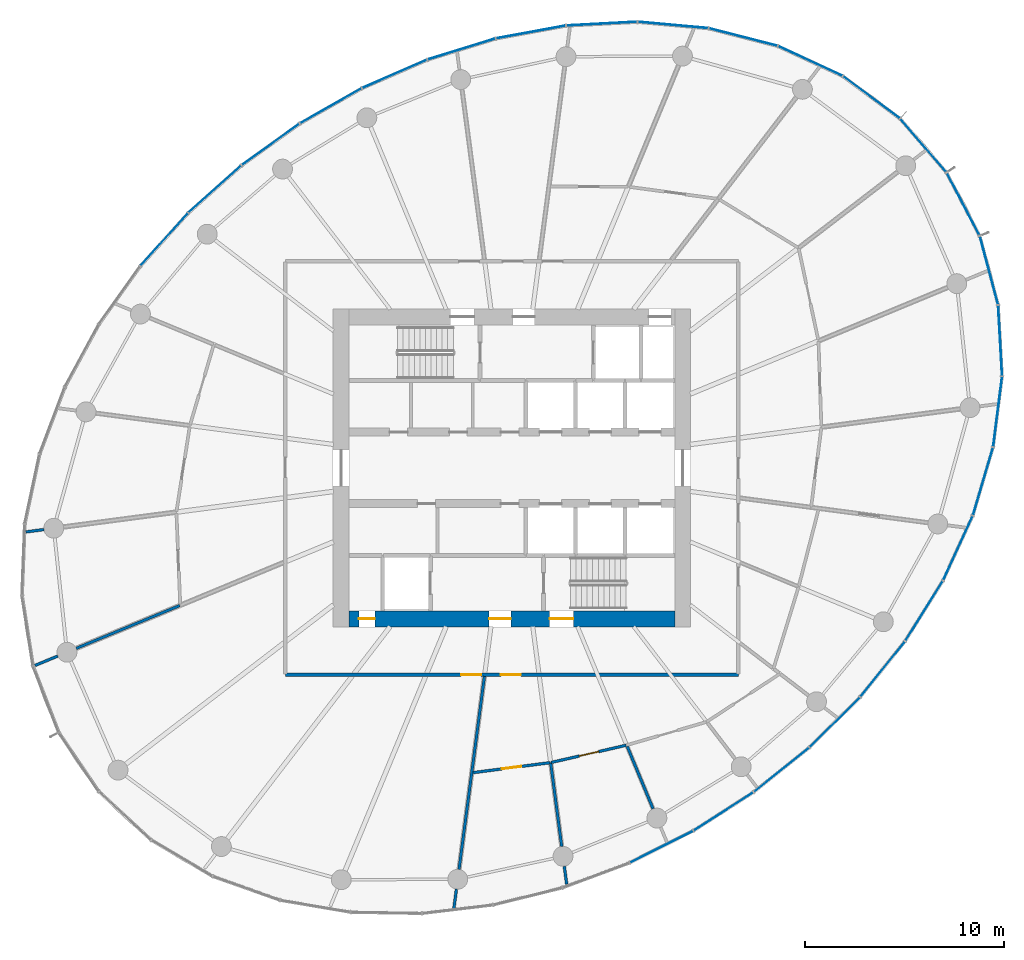
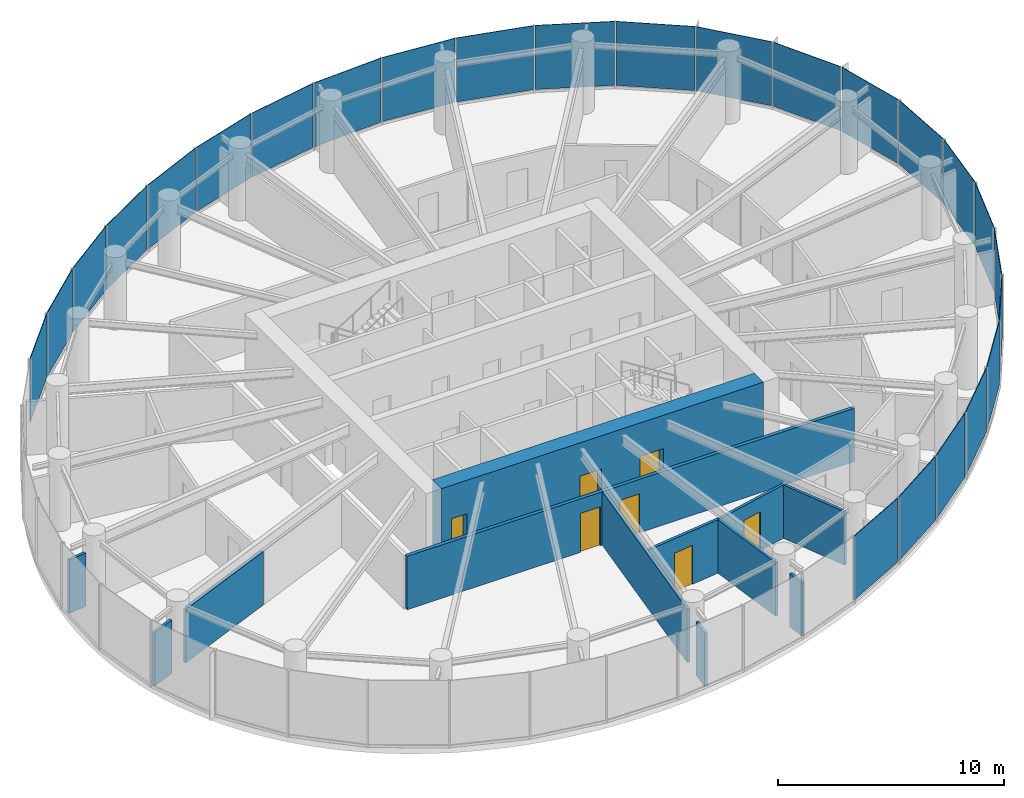
# One storey, part 8 of 14: 25 plates, 12 walls, 7 doors, 7 openings, 6 elements without a shape of their own.
"""IFC4 building model written with IfcOpenShell, lengths in metres."""

import ifcopenshell
import ifcopenshell.guid

model = None  # the IFC model being written
_history = None  # IfcOwnerHistory: only IFC2X3 demands one
_inside = {}  # id of a spatial element -> (the spatial element, [elements in it])
_under = {}  # id of a project, library or spatial element -> (it, [spatial elements below it])
_declared = {}  # id of a project -> (the project, [libraries it declares])
_typed = {}  # id of a type object -> (the type object, [elements of that type])
_made_of = {}  # id of a material, layer set ... -> (it, [elements and type objects made of it])


def new_model(schema):
    """Start an empty IFC model of exactly this schema.

    Asked for "IFC4X3", IfcOpenShell would pick the latest addendum, in which some entities
    have other attributes; the version numbers below select the first issue.
    IFC2X3 requires an IfcOwnerHistory on every rooted entity: one is made here for all.
    """
    global model, _history
    if schema == "IFC4X3":
        model = ifcopenshell.file(schema_version=(4, 3, 0, 0))
    else:
        model = ifcopenshell.file(schema=schema)
    _inside.clear()
    _under.clear()
    _declared.clear()
    _typed.clear()
    _made_of.clear()
    _history = None
    if model.schema == "IFC2X3":
        org = make("IfcOrganization", Name="unknown")
        user = make(
            "IfcPersonAndOrganization",
            ThePerson=make("IfcPerson", FamilyName="unknown"),
            TheOrganization=org,
        )
        app = make(
            "IfcApplication",
            ApplicationDeveloper=org,
            Version="unknown",
            ApplicationFullName="unknown",
            ApplicationIdentifier="unknown",
        )
        _history = make(
            "IfcOwnerHistory",
            OwningUser=user,
            OwningApplication=app,
            ChangeAction="ADDED",
            CreationDate=0,
        )
    return model


def make(cls, **values):
    """One entity of the class cls with the attributes given. An attribute that is None is left unset."""
    return model.create_entity(
        cls, **{name: value for name, value in values.items() if value is not None}
    )


def rooted(cls, **values):
    """An entity with a GlobalId (a new one), such as an element, a storey or a relation."""
    return make(cls, GlobalId=ifcopenshell.guid.new(), OwnerHistory=_history, **values)


def si_unit(unit_type, name, prefix=None):
    """IfcSIUnit, for example si_unit("LENGTHUNIT", "METRE", prefix="MILLI")."""
    return make("IfcSIUnit", UnitType=unit_type, Prefix=prefix, Name=name)


def assignment(units):
    """IfcUnitAssignment: the units of a project."""
    return None if units is None else make("IfcUnitAssignment", Units=units)


def point(xyz):
    """IfcCartesianPoint."""
    return None if xyz is None else make("IfcCartesianPoint", Coordinates=xyz)


def direction(xyz):
    """IfcDirection."""
    return None if xyz is None else make("IfcDirection", DirectionRatios=xyz)


def frame(location, z_axis=None, x_axis=None):
    """IfcAxis2Placement3D, a coordinate frame: its origin and axes. An axis left out is left unset."""
    return make(
        "IfcAxis2Placement3D",
        Location=point(location),
        Axis=direction(z_axis),
        RefDirection=direction(x_axis),
    )


def frame_2d(location, x_axis=None):
    """IfcAxis2Placement2D, a coordinate frame in the plane: its origin and x axis."""
    return make(
        "IfcAxis2Placement2D", Location=point(location), RefDirection=direction(x_axis)
    )


def origin():
    """The frame at (0, 0, 0) with its axes left unset."""
    return frame((0.0, 0.0, 0.0))


def origin_2d():
    """The frame at (0, 0) in the plane with its x axis left unset."""
    return frame_2d((0.0, 0.0))


def place(relative_to, where):
    """IfcLocalPlacement: puts the frame where relative to a parent placement (None: the world)."""
    return make(
        "IfcLocalPlacement", PlacementRelTo=relative_to, RelativePlacement=where
    )


def context(
    kind, dimensions, precision=None, world=None, true_north=None, identifier=None
):
    """IfcGeometricRepresentationContext, for example the 3D "Model" context."""
    return make(
        "IfcGeometricRepresentationContext",
        ContextIdentifier=identifier,
        ContextType=kind,
        CoordinateSpaceDimension=dimensions,
        Precision=precision,
        WorldCoordinateSystem=world,
        TrueNorth=true_north,
    )


def subcontext(parent, identifier, kind, view, scale=None):
    """IfcGeometricRepresentationSubContext, for example "Body" below "Model"."""
    return make(
        "IfcGeometricRepresentationSubContext",
        ContextIdentifier=identifier,
        ContextType=kind,
        ParentContext=parent,
        TargetScale=scale,
        TargetView=view,
    )


def project(units=None, contexts=None):
    """IfcProject with its units and contexts."""
    return rooted(
        "IfcProject",
        Name="project",
        RepresentationContexts=contexts,
        UnitsInContext=assignment(units),
    )


def spatial(cls, under=None, at=None, **own):
    """A site, building, storey or space (cls), placed at a placement, below another one or the project."""
    s = rooted(cls, ObjectPlacement=at, **own)
    if under is not None:
        _under.setdefault(under.id(), (under, []))[1].append(s)
    return s


def profile(cls, at=None, kind="AREA", **sizes):
    """A parametric profile (cls). Its sizes go by their IFC names, for example OverallWidth=200.0."""
    return make(cls, ProfileType=kind, Position=at, **sizes)


def rectangle(**sizes):
    """IfcRectangleProfileDef."""
    return profile("IfcRectangleProfileDef", **sizes)


def extrude(swept, where, along, depth):
    """IfcExtrudedAreaSolid: the profile swept, set in the frame where, extruded along a direction by depth."""
    return make(
        "IfcExtrudedAreaSolid",
        SweptArea=swept,
        Position=where,
        ExtrudedDirection=direction(along),
        Depth=depth,
    )


def shape(context_of_items, identifier, shape_type, items):
    """IfcShapeRepresentation: the items that make up one representation, for example the "Body"."""
    return make(
        "IfcShapeRepresentation",
        ContextOfItems=context_of_items,
        RepresentationIdentifier=identifier,
        RepresentationType=shape_type,
        Items=items,
    )


def source(mapping_origin, context_of_items, identifier, shape_type, items):
    """IfcRepresentationMap: a shape defined once, which mapped items show again and again."""
    return make(
        "IfcRepresentationMap",
        MappingOrigin=mapping_origin,
        MappedRepresentation=shape(context_of_items, identifier, shape_type, items),
    )


def transform(
    local_origin,
    x_axis=None,
    y_axis=None,
    z_axis=None,
    scale=None,
    scale2=None,
    scale3=None,
    uniform=True,
):
    """IfcCartesianTransformationOperator3D, or its non-uniform kind. x_axis, y_axis, z_axis: its Axis1, 2, 3."""
    if uniform:
        return make(
            "IfcCartesianTransformationOperator3D",
            Axis1=direction(x_axis),
            Axis2=direction(y_axis),
            LocalOrigin=point(local_origin),
            Scale=scale,
            Axis3=direction(z_axis),
        )
    return make(
        "IfcCartesianTransformationOperator3DnonUniform",
        Axis1=direction(x_axis),
        Axis2=direction(y_axis),
        LocalOrigin=point(local_origin),
        Scale=scale,
        Axis3=direction(z_axis),
        Scale2=scale2,
        Scale3=scale3,
    )


def mapped(mapping_source, mapping_target):
    """IfcMappedItem: shows the shape of a source again, moved by a transform."""
    return make(
        "IfcMappedItem", MappingSource=mapping_source, MappingTarget=mapping_target
    )


def material(Name=None, Category=None):
    """IfcMaterial."""
    return make("IfcMaterial", Name=Name, Category=Category)


def layer(
    of_material, thickness, ventilated=None, Name=None, Category=None, Priority=None
):
    """IfcMaterialLayer: one layer of a wall or slab, of a material (None: an air gap)."""
    return make(
        "IfcMaterialLayer",
        Material=of_material,
        LayerThickness=thickness,
        IsVentilated=ventilated,
        Name=Name,
        Category=Category,
        Priority=Priority,
    )


def layer_set(layers, Name=None):
    """IfcMaterialLayerSet."""
    return make("IfcMaterialLayerSet", MaterialLayers=layers, LayerSetName=Name)


def made_of(thing, what):
    """Note that an element or type object is made of a material, layer set ...; save() writes the relation."""
    if what is not None:
        _made_of.setdefault(what.id(), (what, []))[1].append(thing)
    return thing


def type_object(cls, material=None, **own):
    """A type object (cls), such as IfcWallType, which elements share."""
    return made_of(rooted(cls, **own), material)


def element(
    cls,
    number,
    at=None,
    inside=None,
    cuts=None,
    type_object=None,
    material=None,
    context=None,
    identifier="Body",
    shape_type=None,
    held_by="IfcProductDefinitionShape",
    body=None,
    shapes=None,
    **own,
):
    """One element of the class cls, such as IfcWall. Its Tag is "e" and its number.

    at: its placement. inside: the storey or other place that contains it. cuts: it is an
    opening in that element (IfcRelVoidsElement). A single representation is given by context,
    identifier, shape_type and body (its items); several are given by shapes. held_by: the class
    of the entity that holds the representations. save() writes the other relations.
    """
    e = rooted(cls, Tag="e%d" % number, ObjectPlacement=at, **own)
    if body is not None:
        shapes = [shape(context, identifier, shape_type, body)]
    if shapes is not None:
        e.Representation = make(held_by, Representations=shapes)
    if inside is not None:
        _inside.setdefault(inside.id(), (inside, []))[1].append(e)
    if cuts is not None:
        rooted(
            "IfcRelVoidsElement", RelatingBuildingElement=cuts, RelatedOpeningElement=e
        )
    if type_object is not None:
        _typed.setdefault(type_object.id(), (type_object, []))[1].append(e)
    return made_of(e, material)


def fill(opening, filler):
    """IfcRelFillsElement: the door or window that sits in an opening."""
    return rooted(
        "IfcRelFillsElement",
        RelatingOpeningElement=opening,
        RelatedBuildingElement=filler,
    )


def aggregate(whole, parts):
    """IfcRelAggregates: a whole, such as a stair, and the parts it consists of."""
    return rooted("IfcRelAggregates", RelatingObject=whole, RelatedObjects=parts)


def save(model, path):
    """Write the relations noted so far, then the file.

    IfcRelAggregates (storeys below a building ...), IfcRelContainedInSpatialStructure (elements
    in a storey), IfcRelDefinesByType, IfcRelAssociatesMaterial and IfcRelDeclares: one each for
    every whole, place, type object, material and project.
    """
    for whole, parts in _under.values():
        aggregate(whole, parts)
    for where, things in _inside.values():
        rooted(
            "IfcRelContainedInSpatialStructure",
            RelatedElements=things,
            RelatingStructure=where,
        )
    for kind, things in _typed.values():
        rooted("IfcRelDefinesByType", RelatedObjects=things, RelatingType=kind)
    for what, things in _made_of.values():
        rooted("IfcRelAssociatesMaterial", RelatedObjects=things, RelatingMaterial=what)
    for by, libraries in _declared.values():
        rooted("IfcRelDeclares", RelatingContext=by, RelatedDefinitions=libraries)
    model.write(path)


model = new_model("IFC4")

# Units and contexts
model_context = context("Model", 3, precision=1e-05, world=origin(), true_north=direction((0.0, 1.0)))
body_context = subcontext(model_context, "Body", "Model", "MODEL_VIEW")
ifc_project = project(units=[si_unit("LENGTHUNIT", "METRE"), si_unit("AREAUNIT", "SQUARE_METRE"), si_unit("VOLUMEUNIT", "CUBIC_METRE"), si_unit("PLANEANGLEUNIT", "RADIAN"), si_unit("MASSUNIT", "GRAM", prefix="KILO")], contexts=[model_context])

# Site, building, storey
site_placement = place(None, origin())
site = spatial("IfcSite", under=ifc_project, at=site_placement, CompositionType="ELEMENT")
building_placement = place(site_placement, origin())
building = spatial("IfcBuilding", under=site, at=building_placement, Name="Spindrift Exchange Tower", CompositionType="ELEMENT")
storey_placement = place(building_placement, frame((0.0, 0.0, 144.800048828125)))
storey = spatial("IfcBuildingStorey", under=building, at=storey_placement, Name="L34", CompositionType="ELEMENT", Elevation=144.800048828125)

# Curtain wall, plate
ifc_material_1 = material(Name="Fritted laminated glass with bronze frame", Category="glass")
ifc_layer_1 = layer(ifc_material_1, 0.179931640625)
ifc_layer_set_1 = layer_set([ifc_layer_1], Name="ZONE 3 BRONZE FRITTED WALL")
curtain_wall_type = type_object("IfcCurtainWallType", Name="ZONE 3 BRONZE FRITTED WALL", PredefinedType="NOTDEFINED", material=ifc_layer_set_1)
curtain_wall_1_placement = place(storey_placement, origin())
curtain_wall_1 = element("IfcCurtainWall", 1, at=curtain_wall_1_placement, inside=storey, type_object=curtain_wall_type, Name="L34 Zone 3 Bronze Fritted Wall run 2", PredefinedType="NOTDEFINED")
ifc_material_2 = material(Name="Bronze fritted laminated glass, open frit", Category="glass")
ifc_layer_2 = layer(ifc_material_2, 0.031982421875)
ifc_layer_set_2 = layer_set([ifc_layer_2], Name="ZONE 3 BRONZE FRITTED WALL PANEL OPEN FRIT 600")
plate_type_1 = type_object("IfcPlateType", Name="ZONE 3 BRONZE FRITTED WALL PANEL OPEN FRIT 600", PredefinedType="CURTAIN_PANEL", material=ifc_layer_set_2)
shared_shape_1 = source(origin(), body_context, "Body", "SweptSolid", [
    extrude(rectangle(XDim=3.53076171875, YDim=0.031982421875, at=origin_2d()), origin(), (0.0, 0.0, 1.0), 3.449951171875),
])
plate_1_placement = place(storey_placement, frame((37.04736328125, 62.0361328125, 0.1298828125), z_axis=(0.0, 0.0, 1.0), x_axis=(-0.746240971567, -0.665675906395, 0.0)))
plate_1 = element("IfcPlate", 2, at=plate_1_placement, type_object=plate_type_1, Name="L34 panel CW-3.12", PredefinedType="CURTAIN_PANEL", context=body_context, shape_type="MappedRepresentation", body=[
    mapped(shared_shape_1, transform((0.0, 0.0, 0.0), scale=1.0)),
])

curtain_wall_2_placement = place(storey_placement, origin())
curtain_wall_2 = element("IfcCurtainWall", 3, at=curtain_wall_2_placement, inside=storey, type_object=curtain_wall_type, Name="L34 Zone 3 Bronze Fritted Wall run 6", PredefinedType="NOTDEFINED")
ifc_layer_3 = layer(ifc_material_2, 0.031982421875)
ifc_layer_set_3 = layer_set([ifc_layer_3], Name="ZONE 3 BRONZE FRITTED WALL PANEL OPEN FRIT 360")
plate_type_2 = type_object("IfcPlateType", Name="ZONE 3 BRONZE FRITTED WALL PANEL OPEN FRIT 360", PredefinedType="CURTAIN_PANEL", material=ifc_layer_set_3)
shared_shape_2 = source(origin(), body_context, "Body", "SweptSolid", [
    extrude(rectangle(XDim=3.531005859375, YDim=0.031982421875, at=origin_2d()), origin(), (0.0, 0.0, 1.0), 3.449951171875),
])
plate_2_placement = place(storey_placement, frame((62.65869140625, 30.70458984375, 0.1298828125), z_axis=(0.0, 0.0, 1.0), x_axis=(0.841700252504, 0.53994507585, 0.0)))
plate_2 = element("IfcPlate", 4, at=plate_2_placement, type_object=plate_type_2, Name="L34 panel CW-3.31", PredefinedType="CURTAIN_PANEL", context=body_context, shape_type="MappedRepresentation", body=[
    mapped(shared_shape_2, transform((0.0, 0.0, 0.0), scale=1.0)),
])

# Plate
shared_shape_3 = source(origin(), body_context, "Body", "SweptSolid", [
    extrude(rectangle(XDim=3.53076171875, YDim=0.031982421875, at=origin_2d()), origin(), (0.0, 0.0, 1.0), 3.449951171875),
])
plate_3_placement = place(storey_placement, frame((46.09521484375, 67.836669921875, 0.1298828125), z_axis=(0.0, 0.0, 1.0), x_axis=(-0.916736156393, -0.399493203398, 0.0)))
plate_3 = element("IfcPlate", 5, at=plate_3_placement, type_object=plate_type_2, Name="L34 panel CW-3.9", PredefinedType="CURTAIN_PANEL", context=body_context, shape_type="MappedRepresentation", body=[
    mapped(shared_shape_3, transform((0.0, 0.0, 0.0), scale=1.0)),
])

shared_shape_4 = source(origin(), body_context, "Body", "SweptSolid", [
    extrude(rectangle(XDim=3.530517578125, YDim=0.031982421875, at=origin_2d()), origin(), (0.0, 0.0, 1.0), 3.449951171875),
])
plate_4_placement = place(storey_placement, frame((49.465576171875, 69.087646484375, 0.1298828125), z_axis=(0.0, 0.0, 1.0), x_axis=(-0.955382556549, -0.295371242069, 0.0)))
plate_4 = element("IfcPlate", 6, at=plate_4_placement, type_object=plate_type_1, Name="L34 panel CW-3.8", PredefinedType="CURTAIN_PANEL", context=body_context, shape_type="MappedRepresentation", body=[
    mapped(shared_shape_4, transform((0.0, 0.0, 0.0), scale=1.0)),
])

plate_5_placement = place(storey_placement, frame((70.667236328125, 37.86865234375, 0.1298828125), z_axis=(0.0, 0.0, 1.0), x_axis=(0.62682277904, 0.779161859742, 0.0)))
plate_5 = element("IfcPlate", 7, at=plate_5_placement, type_object=plate_type_1, Name="L34 panel CW-3.34", PredefinedType="CURTAIN_PANEL", context=body_context, shape_type="MappedRepresentation", body=[
    mapped(shared_shape_4, transform((0.0, 0.0, 0.0), scale=1.0)),
])

ifc_layer_4 = layer(ifc_material_2, 0.031982421875)
ifc_layer_set_4 = layer_set([ifc_layer_4], Name="ZONE 3 BRONZE FRITTED WALL PANEL OPEN FRIT 480")
plate_type_3 = type_object("IfcPlateType", Name="ZONE 3 BRONZE FRITTED WALL PANEL OPEN FRIT 480", PredefinedType="CURTAIN_PANEL", material=ifc_layer_set_4)
shared_shape_5 = source(origin(), body_context, "Body", "SweptSolid", [
    extrude(rectangle(XDim=3.531005859375, YDim=0.031982421875, at=origin_2d()), origin(), (0.0, 0.0, 1.0), 3.449951171875),
])
plate_6_placement = place(storey_placement, frame((39.853515625, 64.284912109375, 0.1298828125), z_axis=(0.0, 0.0, 1.0), x_axis=(-0.81224848682, -0.583311576826, 0.0)))
plate_6 = element("IfcPlate", 8, at=plate_6_placement, type_object=plate_type_3, Name="L34 panel CW-3.11", PredefinedType="CURTAIN_PANEL", context=body_context, shape_type="MappedRepresentation", body=[
    mapped(shared_shape_5, transform((0.0, 0.0, 0.0), scale=1.0)),
])

plate_7_placement = place(storey_placement, frame((65.579345703125, 32.802490234375, 0.1298828125), z_axis=(0.0, 0.0, 1.0), x_axis=(0.780478420226, 0.625182721739, 0.0)))
plate_7 = element("IfcPlate", 9, at=plate_7_placement, type_object=plate_type_3, Name="L34 panel CW-3.32", PredefinedType="CURTAIN_PANEL", context=body_context, shape_type="MappedRepresentation", body=[
    mapped(shared_shape_5, transform((0.0, 0.0, 0.0), scale=1.0)),
])

shared_shape_6 = source(origin(), body_context, "Body", "SweptSolid", [
    extrude(rectangle(XDim=3.53076171875, YDim=0.031982421875, at=origin_2d()), origin(), (0.0, 0.0, 1.0), 3.449951171875),
])
plate_8_placement = place(storey_placement, frame((42.880126953125, 66.226318359375, 0.1298828125), z_axis=(0.0, 0.0, 1.0), x_axis=(-0.868910686934, -0.494968906228, 0.0)))
plate_8 = element("IfcPlate", 10, at=plate_8_placement, type_object=plate_type_3, Name="L34 panel CW-3.10", PredefinedType="CURTAIN_PANEL", context=body_context, shape_type="MappedRepresentation", body=[
    mapped(shared_shape_6, transform((0.0, 0.0, 0.0), scale=1.0)),
])

# Curtain wall, plate
curtain_wall_3_placement = place(storey_placement, origin())
curtain_wall_3 = element("IfcCurtainWall", 11, at=curtain_wall_3_placement, inside=storey, type_object=curtain_wall_type, Name="L34 Zone 3 Bronze Fritted Wall run 3", PredefinedType="NOTDEFINED")
plate_9_placement = place(storey_placement, frame((34.498291015625, 59.50048828125, 0.1298828125), z_axis=(0.0, 0.0, 1.0), x_axis=(-0.669657033479, -0.742670490536, 0.0)))
plate_9 = element("IfcPlate", 12, at=plate_9_placement, type_object=plate_type_3, Name="L34 panel CW-3.13", PredefinedType="CURTAIN_PANEL", context=body_context, shape_type="MappedRepresentation", body=[
    mapped(shared_shape_6, transform((0.0, 0.0, 0.0), scale=1.0)),
])
aggregate(curtain_wall_3, [plate_9])

curtain_wall_4_placement = place(storey_placement, origin())
curtain_wall_4 = element("IfcCurtainWall", 13, at=curtain_wall_4_placement, inside=storey, type_object=curtain_wall_type, Name="L34 Zone 3 Bronze Fritted Wall run 5", PredefinedType="NOTDEFINED")
plate_10_placement = place(storey_placement, frame((59.533935546875, 28.925537109375, 0.1298828125), z_axis=(0.0, 0.0, 1.0), x_axis=(0.893932184687, 0.448202241382, 0.0)))
plate_10 = element("IfcPlate", 14, at=plate_10_placement, type_object=plate_type_3, Name="L34 panel CW-3.30", PredefinedType="CURTAIN_PANEL", context=body_context, shape_type="MappedRepresentation", body=[
    mapped(shared_shape_6, transform((0.0, 0.0, 0.0), scale=1.0)),
])
aggregate(curtain_wall_4, [plate_10])

# Plate
plate_11_placement = place(storey_placement, frame((68.26171875, 35.197021484375, 0.1298828125), z_axis=(0.0, 0.0, 1.0), x_axis=(0.709366556855, 0.704839760525, 0.0)))
plate_11 = element("IfcPlate", 15, at=plate_11_placement, type_object=plate_type_3, Name="L34 panel CW-3.33", PredefinedType="CURTAIN_PANEL", context=body_context, shape_type="MappedRepresentation", body=[
    mapped(shared_shape_6, transform((0.0, 0.0, 0.0), scale=1.0)),
])

# Curtain wall, plates
curtain_wall_5_placement = place(storey_placement, origin())
curtain_wall_5 = element("IfcCurtainWall", 16, at=curtain_wall_5_placement, inside=storey, type_object=curtain_wall_type, Name="L34 Zone 3 Bronze Fritted Wall run 1", PredefinedType="NOTDEFINED")
shared_shape_7 = source(origin(), body_context, "Body", "SweptSolid", [
    extrude(rectangle(XDim=3.525634765625, YDim=0.031982421875, at=origin_2d()), origin(), (0.0, 0.0, 1.0), 3.449951171875),
])
plate_12_placement = place(storey_placement, frame((70.10009765625, 66.660888671875, 0.1298828125), z_axis=(0.0, 0.0, 1.0), x_axis=(-0.803417499226, 0.595416091434, 0.0)))
plate_12 = element("IfcPlate", 17, at=plate_12_placement, type_object=plate_type_2, Name="L34 panel CW-3.2", PredefinedType="CURTAIN_PANEL", context=body_context, shape_type="MappedRepresentation", body=[
    mapped(shared_shape_7, transform((0.0, 0.0, 0.0), scale=1.0)),
])
shared_shape_8 = source(origin(), body_context, "Body", "SweptSolid", [
    extrude(rectangle(XDim=3.529052734375, YDim=0.031982421875, at=origin_2d()), origin(), (0.0, 0.0, 1.0), 3.449951171875),
])
plate_13_placement = place(storey_placement, frame((60.11376953125, 70.29736328125, 0.1298828125), z_axis=(0.0, 0.0, 1.0), x_axis=(-0.995944760465, 0.089966850014, 0.0)))
plate_13 = element("IfcPlate", 18, at=plate_13_placement, type_object=plate_type_2, Name="L34 panel CW-3.5", PredefinedType="CURTAIN_PANEL", context=body_context, shape_type="MappedRepresentation", body=[
    mapped(shared_shape_8, transform((0.0, 0.0, 0.0), scale=1.0)),
])

# Plate
shared_shape_9 = source(origin(), body_context, "Body", "SweptSolid", [
    extrude(rectangle(XDim=3.5302734375, YDim=0.031982421875, at=origin_2d()), origin(), (0.0, 0.0, 1.0), 3.449951171875),
])
plate_14_placement = place(storey_placement, frame((52.9560546875, 69.9443359375, 0.1298828125), z_axis=(0.0, 0.0, 1.0), x_axis=(-0.983573046103, -0.180510561963, 0.0)))
plate_14 = element("IfcPlate", 19, at=plate_14_placement, type_object=plate_type_2, Name="L34 panel CW-3.7", PredefinedType="CURTAIN_PANEL", context=body_context, shape_type="MappedRepresentation", body=[
    mapped(shared_shape_9, transform((0.0, 0.0, 0.0), scale=1.0)),
])

aggregate(curtain_wall_1, [plate_14, plate_4, plate_3, plate_8, plate_6, plate_1])

shared_shape_10 = source(origin(), body_context, "Body", "SweptSolid", [
    extrude(rectangle(XDim=3.5302734375, YDim=0.031982421875, at=origin_2d()), origin(), (0.0, 0.0, 1.0), 3.449951171875),
])
plate_15_placement = place(storey_placement, frame((72.750732421875, 40.79736328125, 0.1298828125), z_axis=(0.0, 0.0, 1.0), x_axis=(0.530457922084, 0.847711267413, 0.0)))
plate_15 = element("IfcPlate", 20, at=plate_15_placement, type_object=plate_type_3, Name="L34 panel CW-3.35", PredefinedType="CURTAIN_PANEL", context=body_context, shape_type="MappedRepresentation", body=[
    mapped(shared_shape_10, transform((0.0, 0.0, 0.0), scale=1.0)),
])

# Curtain wall, plate
curtain_wall_6_placement = place(storey_placement, origin())
curtain_wall_6 = element("IfcCurtainWall", 21, at=curtain_wall_6_placement, inside=storey, type_object=curtain_wall_type, Name="L34 Zone 3 Bronze Fritted Wall run 7", PredefinedType="NOTDEFINED")
shared_shape_11 = source(origin(), body_context, "Body", "SweptSolid", [
    extrude(rectangle(XDim=3.528076171875, YDim=0.031982421875, at=origin_2d()), origin(), (0.0, 0.0, 1.0), 3.449951171875),
])
plate_16_placement = place(storey_placement, frame((76.455322265625, 50.8310546875, 0.1298828125), z_axis=(0.0, 0.0, 1.0), x_axis=(0.126261298396, 0.991997018406, 0.0)))
plate_16 = element("IfcPlate", 22, at=plate_16_placement, type_object=plate_type_3, Name="L34 panel CW-3.38", PredefinedType="CURTAIN_PANEL", context=body_context, shape_type="MappedRepresentation", body=[
    mapped(shared_shape_11, transform((0.0, 0.0, 0.0), scale=1.0)),
])

# Plate
shared_shape_12 = source(origin(), body_context, "Body", "SweptSolid", [
    extrude(rectangle(XDim=3.524658203125, YDim=0.031982421875, at=origin_2d()), origin(), (0.0, 0.0, 1.0), 3.449951171875),
])
plate_17_placement = place(storey_placement, frame((72.717529296875, 64.228515625, 0.1298828125), z_axis=(0.0, 0.0, 1.0), x_axis=(-0.652601074108, 0.757701681451, 0.0)))
plate_17 = element("IfcPlate", 23, at=plate_17_placement, type_object=plate_type_3, Name="L34 panel CW-3.1", PredefinedType="CURTAIN_PANEL", context=body_context, shape_type="MappedRepresentation", body=[
    mapped(shared_shape_12, transform((0.0, 0.0, 0.0), scale=1.0)),
])

shared_shape_13 = source(origin(), body_context, "Body", "SweptSolid", [
    extrude(rectangle(XDim=3.527099609375, YDim=0.031982421875, at=origin_2d()), origin(), (0.0, 0.0, 1.0), 3.449951171875),
])
plate_18_placement = place(storey_placement, frame((67.023681640625, 68.486328125, 0.1298828125), z_axis=(0.0, 0.0, 1.0), x_axis=(-0.907566524248, 0.419908328166, 0.0)))
plate_18 = element("IfcPlate", 24, at=plate_18_placement, type_object=plate_type_2, Name="L34 panel CW-3.3", PredefinedType="CURTAIN_PANEL", context=body_context, shape_type="MappedRepresentation", body=[
    mapped(shared_shape_13, transform((0.0, 0.0, 0.0), scale=1.0)),
])

plate_19_placement = place(storey_placement, frame((76.58251953125, 54.411376953125, 0.1298828125), z_axis=(0.0, 0.0, 1.0), x_axis=(-0.055685581062, 0.998448354229, 0.0)))
plate_19 = element("IfcPlate", 25, at=plate_19_placement, type_object=plate_type_2, Name="L34 panel CW-3.39", PredefinedType="CURTAIN_PANEL", context=body_context, shape_type="MappedRepresentation", body=[
    mapped(shared_shape_13, transform((0.0, 0.0, 0.0), scale=1.0)),
])

shared_shape_14 = source(origin(), body_context, "Body", "SweptSolid", [
    extrude(rectangle(XDim=3.528076171875, YDim=0.031982421875, at=origin_2d()), origin(), (0.0, 0.0, 1.0), 3.449951171875),
])
plate_20_placement = place(storey_placement, frame((63.648681640625, 69.6884765625, 0.1298828125), z_axis=(0.0, 0.0, 1.0), x_axis=(-0.968654738511, 0.24841094493, 0.0)))
plate_20 = element("IfcPlate", 26, at=plate_20_placement, type_object=plate_type_1, Name="L34 panel CW-3.4", PredefinedType="CURTAIN_PANEL", context=body_context, shape_type="MappedRepresentation", body=[
    mapped(shared_shape_14, transform((0.0, 0.0, 0.0), scale=1.0)),
])

shared_shape_15 = source(origin(), body_context, "Body", "SweptSolid", [
    extrude(rectangle(XDim=3.52978515625, YDim=0.031982421875, at=origin_2d()), origin(), (0.0, 0.0, 1.0), 3.449951171875),
])
plate_21_placement = place(storey_placement, frame((56.524169921875, 70.3642578125, 0.1298828125), z_axis=(0.0, 0.0, 1.0), x_axis=(-0.998607616784, -0.052752513702, 0.0)))
plate_21 = element("IfcPlate", 27, at=plate_21_placement, type_object=plate_type_1, Name="L34 panel CW-3.6", PredefinedType="CURTAIN_PANEL", context=body_context, shape_type="MappedRepresentation", body=[
    mapped(shared_shape_15, transform((0.0, 0.0, 0.0), scale=1.0)),
])

aggregate(curtain_wall_5, [plate_17, plate_12, plate_18, plate_20, plate_13, plate_21])

shared_shape_16 = source(origin(), body_context, "Body", "SweptSolid", [
    extrude(rectangle(XDim=3.52978515625, YDim=0.031982421875, at=origin_2d()), origin(), (0.0, 0.0, 1.0), 3.449951171875),
])
plate_22_placement = place(storey_placement, frame((74.45654296875, 43.959228515625, 0.1298828125), z_axis=(0.0, 0.0, 1.0), x_axis=(0.417242230567, 0.908795313055, 0.0)))
plate_22 = element("IfcPlate", 28, at=plate_22_placement, type_object=plate_type_3, Name="L34 panel CW-3.36", PredefinedType="CURTAIN_PANEL", context=body_context, shape_type="MappedRepresentation", body=[
    mapped(shared_shape_16, transform((0.0, 0.0, 0.0), scale=1.0)),
])

aggregate(curtain_wall_2, [plate_2, plate_7, plate_11, plate_5, plate_15, plate_22])

shared_shape_17 = source(origin(), body_context, "Body", "SweptSolid", [
    extrude(rectangle(XDim=3.529296875, YDim=0.031982421875, at=origin_2d()), origin(), (0.0, 0.0, 1.0), 3.449951171875),
])
plate_23_placement = place(storey_placement, frame((75.718017578125, 47.320556640625, 0.1298828125), z_axis=(0.0, 0.0, 1.0), x_axis=(0.283593606302, 0.958944558598, 0.0)))
plate_23 = element("IfcPlate", 29, at=plate_23_placement, type_object=plate_type_1, Name="L34 panel CW-3.37", PredefinedType="CURTAIN_PANEL", context=body_context, shape_type="MappedRepresentation", body=[
    mapped(shared_shape_17, transform((0.0, 0.0, 0.0), scale=1.0)),
])

shared_shape_18 = source(origin(), body_context, "Body", "SweptSolid", [
    extrude(rectangle(XDim=3.525634765625, YDim=0.031982421875, at=origin_2d()), origin(), (0.0, 0.0, 1.0), 3.449951171875),
])
plate_24_placement = place(storey_placement, frame((76.019775390625, 57.9443359375, 0.1298828125), z_axis=(0.0, 0.0, 1.0), x_axis=(-0.257232303813, 0.966349596096, 0.0)))
plate_24 = element("IfcPlate", 30, at=plate_24_placement, type_object=plate_type_3, Name="L34 panel CW-3.40", PredefinedType="CURTAIN_PANEL", context=body_context, shape_type="MappedRepresentation", body=[
    mapped(shared_shape_18, transform((0.0, 0.0, 0.0), scale=1.0)),
])

shared_shape_19 = source(origin(), body_context, "Body", "SweptSolid", [
    extrude(rectangle(XDim=3.52490234375, YDim=0.031982421875, at=origin_2d()), origin(), (0.0, 0.0, 1.0), 3.449951171875),
])
plate_25_placement = place(storey_placement, frame((74.72412109375, 61.274169921875, 0.1298828125), z_axis=(0.0, 0.0, 1.0), x_axis=(-0.463693494776, 0.885995678828, 0.0)))
plate_25 = element("IfcPlate", 31, at=plate_25_placement, type_object=plate_type_2, Name="L34 panel CW-3.41", PredefinedType="CURTAIN_PANEL", context=body_context, shape_type="MappedRepresentation", body=[
    mapped(shared_shape_19, transform((0.0, 0.0, 0.0), scale=1.0)),
])

aggregate(curtain_wall_6, [plate_23, plate_16, plate_19, plate_24, plate_25])

# Wall, openings, doors
ifc_material_3 = material(Name="Concrete 65 MPa", Category="concrete")
ifc_layer_5 = layer(ifc_material_3, 0.800048828125)
ifc_layer_set_5 = layer_set([ifc_layer_5], Name="RC Core Wall 800 Concrete 65 MPa")
wall_type_1 = type_object("IfcWallType", Name="RC Core Wall 800 Concrete 65 MPa", PredefinedType="SHEAR", material=ifc_layer_set_5)
wall_1_placement = place(storey_placement, frame((43.800048828125, 40.39990234375, 0.0), z_axis=(0.0, 0.0, 1.0), x_axis=(1.0, 0.0, 0.0)))
wall_1 = element("IfcWall", 32, at=wall_1_placement, inside=storey, type_object=wall_type_1, Name="Core wall S L34", PredefinedType="SHEAR", context=body_context, shape_type="SweptSolid", body=[
    extrude(rectangle(XDim=16.39990234375, YDim=0.800048828125, at=frame_2d((8.199951171875, 0.0))), origin(), (0.0, 0.0, 1.0), 3.89990234375),
])
opening_1_placement = place(wall_1_placement, frame((10.10009765625, 0.0, 0.0)))
opening_1 = element("IfcOpeningElement", 33, at=opening_1_placement, cuts=wall_1, Name="Opening L34-D15", PredefinedType="OPENING", context=body_context, shape_type="SweptSolid", body=[
    extrude(rectangle(XDim=1.199951171875, YDim=2.10009765625, at=frame_2d((0.60009765625, 1.050048828125))), frame((0.0, 0.409912109375, 0.0), z_axis=(0.0, -1.0, 0.0), x_axis=(1.0, 0.0, 0.0)), (0.0, 0.0, 1.0), 0.820068359375),
])
opening_2_placement = place(wall_1_placement, frame((7.050048828125, 0.0, 0.0)))
opening_2 = element("IfcOpeningElement", 34, at=opening_2_placement, cuts=wall_1, Name="Opening L34-D17", PredefinedType="OPENING", context=body_context, shape_type="SweptSolid", body=[
    extrude(rectangle(XDim=1.10009765625, YDim=2.10009765625, at=frame_2d((0.550048828125, 1.050048828125))), frame((0.0, 0.409912109375, 0.0), z_axis=(0.0, -1.0, 0.0), x_axis=(1.0, 0.0, 0.0)), (0.0, 0.0, 1.0), 0.820068359375),
])
opening_3_placement = place(wall_1_placement, frame((0.5, 0.0, 0.0)))
opening_3 = element("IfcOpeningElement", 35, at=opening_3_placement, cuts=wall_1, Name="Opening L34-D18", PredefinedType="OPENING", context=body_context, shape_type="SweptSolid", body=[
    extrude(rectangle(XDim=0.800048828125, YDim=2.10009765625, at=frame_2d((0.39990234375, 1.050048828125))), frame((0.0, 0.409912109375, 0.0), z_axis=(0.0, -1.0, 0.0), x_axis=(1.0, 0.0, 0.0)), (0.0, 0.0, 1.0), 0.820068359375),
])
ifc_material_4 = material(Name="Steel fire door", Category="steel")
door_type_1 = type_object("IfcDoorType", Name="DR-STAIR-1200", OperationType="NOTDEFINED", PredefinedType="DOOR", material=ifc_material_4)
shared_shape_20 = source(origin(), body_context, "Body", "SweptSolid", [
    extrude(rectangle(XDim=1.199951171875, YDim=2.10009765625, at=frame_2d((0.60009765625, 1.050048828125))), frame((0.0, 0.02490234375, 0.0), z_axis=(0.0, -1.0, 0.0), x_axis=(1.0, 0.0, 0.0)), (0.0, 0.0, 1.0), 0.050048828125),
])
door_1_placement = place(opening_1_placement, origin())
door_1 = element("IfcDoor", 36, at=door_1_placement, inside=storey, type_object=door_type_1, Name="L34 Stair door 15", OperationType="SINGLE_SWING_RIGHT", OverallHeight=2.10009765625, OverallWidth=1.199951171875, PredefinedType="DOOR", context=body_context, shape_type="MappedRepresentation", body=[
    mapped(shared_shape_20, transform((0.0, 0.0, 0.0), scale=1.0)),
])
fill(opening_1, door_1)
ifc_material_5 = material(Name="Timber-core fire door", Category="wood")
door_type_2 = type_object("IfcDoorType", Name="DR-LOBBY-1100", OperationType="NOTDEFINED", PredefinedType="DOOR", material=ifc_material_5)
shared_shape_21 = source(origin(), body_context, "Body", "SweptSolid", [
    extrude(rectangle(XDim=1.10009765625, YDim=2.10009765625, at=frame_2d((0.550048828125, 1.050048828125))), frame((0.0, 0.02490234375, 0.0), z_axis=(0.0, -1.0, 0.0), x_axis=(1.0, 0.0, 0.0)), (0.0, 0.0, 1.0), 0.050048828125),
])
door_2_placement = place(opening_2_placement, origin())
door_2 = element("IfcDoor", 37, at=door_2_placement, inside=storey, type_object=door_type_2, Name="L34 Lobby door 17", OperationType="SINGLE_SWING_RIGHT", OverallHeight=2.10009765625, OverallWidth=1.10009765625, PredefinedType="DOOR", context=body_context, shape_type="MappedRepresentation", body=[
    mapped(shared_shape_21, transform((0.0, 0.0, 0.0), scale=1.0)),
])
fill(opening_2, door_2)
ifc_material_6 = material(Name="Steel access door", Category="steel")
door_type_3 = type_object("IfcDoorType", Name="DR-RISER-800", OperationType="NOTDEFINED", PredefinedType="DOOR", material=ifc_material_6)
shared_shape_22 = source(origin(), body_context, "Body", "SweptSolid", [
    extrude(rectangle(XDim=0.800048828125, YDim=2.10009765625, at=frame_2d((0.39990234375, 1.050048828125))), frame((0.0, 0.02490234375, 0.0), z_axis=(0.0, -1.0, 0.0), x_axis=(1.0, 0.0, 0.0)), (0.0, 0.0, 1.0), 0.050048828125),
])
door_3_placement = place(opening_3_placement, origin())
door_3 = element("IfcDoor", 38, at=door_3_placement, inside=storey, type_object=door_type_3, Name="L34 Riser door 18", OperationType="SINGLE_SWING_LEFT", OverallHeight=2.10009765625, OverallWidth=0.800048828125, PredefinedType="DOOR", context=body_context, shape_type="MappedRepresentation", body=[
    mapped(shared_shape_22, transform((0.0, 0.0, 0.0), scale=1.0)),
])
fill(opening_3, door_3)

ifc_material_7 = material(Name="Fire-rated plasterboard partition", Category="gypsum")
ifc_layer_6 = layer(ifc_material_7, 0.179931640625)
ifc_layer_set_6 = layer_set([ifc_layer_6], Name="W-CORR-180")
wall_type_2 = type_object("IfcWallType", Name="W-CORR-180", PredefinedType="PARTITIONING", material=ifc_layer_set_6)
wall_2_placement = place(storey_placement, frame((63.39990234375, 37.60009765625, 0.0), z_axis=(0.0, 0.0, 1.0), x_axis=(-1.0, 0.0, 0.0)))
wall_2 = element("IfcWall", 39, at=wall_2_placement, inside=storey, type_object=wall_type_2, Name="L34 Partition wall 28", PredefinedType="PARTITIONING", context=body_context, shape_type="SweptSolid", body=[
    extrude(rectangle(XDim=22.7998046875, YDim=0.179931640625, at=frame_2d((11.39990234375, 0.0))), origin(), (0.0, 0.0, 1.0), 2.8798828125),
])
opening_4_placement = place(wall_2_placement, frame((12.949951171875, 0.0, 0.0)))
opening_4 = element("IfcOpeningElement", 40, at=opening_4_placement, cuts=wall_2, Name="Opening L34-D36", PredefinedType="OPENING", context=body_context, shape_type="SweptSolid", body=[
    extrude(rectangle(XDim=1.0, YDim=2.10009765625, at=frame_2d((0.5, 1.050048828125))), frame((0.0, 0.099853515625, 0.0), z_axis=(0.0, -1.0, 0.0), x_axis=(1.0, 0.0, 0.0)), (0.0, 0.0, 1.0), 0.199951171875),
])
opening_5_placement = place(wall_2_placement, frame((10.949951171875, 0.0, 0.0)))
opening_5 = element("IfcOpeningElement", 41, at=opening_5_placement, cuts=wall_2, Name="Opening L34-D37", PredefinedType="OPENING", context=body_context, shape_type="SweptSolid", body=[
    extrude(rectangle(XDim=1.0, YDim=2.10009765625, at=frame_2d((0.5, 1.050048828125))), frame((0.0, 0.099853515625, 0.0), z_axis=(0.0, -1.0, 0.0), x_axis=(1.0, 0.0, 0.0)), (0.0, 0.0, 1.0), 0.199951171875),
])
door_type_4 = type_object("IfcDoorType", Name="DR-ROOM-1000", OperationType="NOTDEFINED", PredefinedType="DOOR", material=ifc_material_5)
shared_shape_23 = source(origin(), body_context, "Body", "SweptSolid", [
    extrude(rectangle(XDim=1.0, YDim=2.10009765625, at=frame_2d((0.5, 1.050048828125))), frame((0.0, 0.02490234375, 0.0), z_axis=(0.0, -1.0, 0.0), x_axis=(1.0, 0.0, 0.0)), (0.0, 0.0, 1.0), 0.050048828125),
])
door_4_placement = place(opening_4_placement, origin())
door_4 = element("IfcDoor", 42, at=door_4_placement, inside=storey, type_object=door_type_4, Name="L34 Door 36", OperationType="SINGLE_SWING_LEFT", OverallHeight=2.10009765625, OverallWidth=1.0, PredefinedType="DOOR", context=body_context, shape_type="MappedRepresentation", body=[
    mapped(shared_shape_23, transform((0.0, 0.0, 0.0), scale=1.0)),
])
fill(opening_4, door_4)
door_5_placement = place(opening_5_placement, origin())
door_5 = element("IfcDoor", 43, at=door_5_placement, inside=storey, type_object=door_type_4, Name="L34 Door 37", OperationType="SINGLE_SWING_RIGHT", OverallHeight=2.10009765625, OverallWidth=1.0, PredefinedType="DOOR", context=body_context, shape_type="MappedRepresentation", body=[
    mapped(shared_shape_23, transform((0.0, 0.0, 0.0), scale=1.0)),
])
fill(opening_5, door_5)

# Walls
ifc_layer_7 = layer(ifc_material_7, 0.139892578125)
ifc_layer_set_7 = layer_set([ifc_layer_7], Name="W-PART-140")
wall_type_3 = type_object("IfcWallType", Name="W-PART-140", PredefinedType="PARTITIONING", material=ifc_layer_set_7)
wall_3_placement = place(storey_placement, frame((49.33984375, 27.794921875, 0.0), z_axis=(0.0, 0.0, 1.0), x_axis=(0.130529918789, 0.991444370755, 0.0)))
element("IfcWall", 44, at=wall_3_placement, inside=storey, type_object=wall_type_3, Name="L34 Partition wall 31", PredefinedType="PARTITIONING", context=body_context, shape_type="SweptSolid", body=[
    extrude(rectangle(XDim=9.798828125, YDim=0.139892578125, at=frame_2d((4.8994140625, 0.0))), origin(), (0.0, 0.0, 1.0), 2.8798828125),
])
wall_4_placement = place(storey_placement, frame((35.278076171875, 41.073486328125, 0.0), z_axis=(0.0, 0.0, 1.0), x_axis=(-0.923885931512, -0.382667983445, 0.0)))
element("IfcWall", 45, at=wall_4_placement, inside=storey, type_object=wall_type_3, Name="L34 Partition wall 42", PredefinedType="PARTITIONING", context=body_context, shape_type="SweptSolid", body=[
    extrude(rectangle(XDim=5.637451171875, YDim=0.139892578125, at=frame_2d((2.81884765625, 0.0))), origin(), (0.0, 0.0, 1.0), 2.8798828125),
])
wall_5_placement = place(storey_placement, frame((53.952880859375, 33.166748046875, 0.0), z_axis=(0.0, 0.0, 1.0), x_axis=(0.130494592456, -0.991449021049, 0.0)))
element("IfcWall", 46, at=wall_5_placement, inside=storey, type_object=wall_type_3, Name="L34 Partition wall 53", PredefinedType="PARTITIONING", context=body_context, shape_type="SweptSolid", body=[
    extrude(rectangle(XDim=4.25439453125, YDim=0.139892578125, at=frame_2d((2.127197265625, 0.0))), origin(), (0.0, 0.0, 1.0), 2.8798828125),
])

# Wall, opening, door
wall_6_placement = place(storey_placement, frame((53.923095703125, 33.1630859375, 0.0), z_axis=(0.0, 0.0, 1.0), x_axis=(-0.991708853647, -0.128505056702, 0.0)))
wall_6 = element("IfcWall", 47, at=wall_6_placement, inside=storey, type_object=wall_type_3, Name="L34 Partition wall 57", PredefinedType="PARTITIONING", context=body_context, shape_type="SweptSolid", body=[
    extrude(rectangle(XDim=3.904296875, YDim=0.139892578125, at=frame_2d((1.9521484375, 0.0))), origin(), (0.0, 0.0, 1.0), 2.8798828125),
])
opening_6_placement = place(wall_6_placement, frame((1.4541015625, 0.0, 0.0)))
opening_6 = element("IfcOpeningElement", 48, at=opening_6_placement, cuts=wall_6, Name="Opening L34-D38", PredefinedType="OPENING", context=body_context, shape_type="SweptSolid", body=[
    extrude(rectangle(XDim=1.0, YDim=2.10009765625, at=frame_2d((0.5, 1.050048828125))), frame((0.0, 0.079833984375, 0.0), z_axis=(0.0, -1.0, 0.0), x_axis=(1.0, 0.0, 0.0)), (0.0, 0.0, 1.0), 0.159912109375),
])
door_6_placement = place(opening_6_placement, origin())
door_6 = element("IfcDoor", 49, at=door_6_placement, inside=storey, type_object=door_type_4, Name="L34 Door 38", OperationType="SINGLE_SWING_LEFT", OverallHeight=2.10009765625, OverallWidth=1.0, PredefinedType="DOOR", context=body_context, shape_type="MappedRepresentation", body=[
    mapped(shared_shape_23, transform((0.0, 0.0, 0.0), scale=1.0)),
])
fill(opening_6, door_6)

wall_7_placement = place(storey_placement, frame((57.7509765625, 34.0390625, 0.0), z_axis=(0.0, 0.0, 1.0), x_axis=(-0.974631122923, -0.223817278666, 0.0)))
wall_7 = element("IfcWall", 50, at=wall_7_placement, inside=storey, type_object=wall_type_3, Name="L34 Partition wall 60", PredefinedType="PARTITIONING", context=body_context, shape_type="SweptSolid", body=[
    extrude(rectangle(XDim=3.866943359375, YDim=0.139892578125, at=frame_2d((1.93359375, 0.0))), origin(), (0.0, 0.0, 1.0), 2.8798828125),
])
opening_7_placement = place(wall_7_placement, frame((1.4169921875, 0.0, 0.0)))
opening_7 = element("IfcOpeningElement", 51, at=opening_7_placement, cuts=wall_7, Name="Opening L34-D39", PredefinedType="OPENING", context=body_context, shape_type="SweptSolid", body=[
    extrude(rectangle(XDim=1.0, YDim=2.10009765625, at=frame_2d((0.5, 1.050048828125))), frame((0.0, 0.079833984375, 0.0), z_axis=(0.0, -1.0, 0.0), x_axis=(1.0, 0.0, 0.0)), (0.0, 0.0, 1.0), 0.159912109375),
])
door_7_placement = place(opening_7_placement, origin())
door_7 = element("IfcDoor", 52, at=door_7_placement, inside=storey, type_object=door_type_4, Name="L34 Door 39", OperationType="SINGLE_SWING_RIGHT", OverallHeight=2.10009765625, OverallWidth=1.0, PredefinedType="DOOR", context=body_context, shape_type="MappedRepresentation", body=[
    mapped(shared_shape_23, transform((0.0, 0.0, 0.0), scale=1.0)),
])
fill(opening_7, door_7)

# Walls
wall_8_placement = place(storey_placement, frame((57.806884765625, 33.980712890625, 0.0), z_axis=(0.0, 0.0, 1.0), x_axis=(0.382732444901, -0.923859229331, 0.0)))
element("IfcWall", 53, at=wall_8_placement, inside=storey, type_object=wall_type_3, Name="L34 Partition wall 64", PredefinedType="PARTITIONING", context=body_context, shape_type="SweptSolid", body=[
    extrude(rectangle(XDim=3.398681640625, YDim=0.139892578125, at=frame_2d((1.69921875, 0.0))), origin(), (0.0, 0.0, 1.0), 2.8798828125),
])
wall_9_placement = place(storey_placement, frame((29.13671875, 38.52978515625, 0.0), z_axis=(0.0, 0.0, 1.0), x_axis=(-0.923857958789, -0.382735511786, 0.0)))
element("IfcWall", 54, at=wall_9_placement, inside=storey, type_object=wall_type_3, Name="L34 Partition wall 72", PredefinedType="PARTITIONING", context=body_context, shape_type="SweptSolid", body=[
    extrude(rectangle(XDim=1.236328125, YDim=0.139892578125, at=frame_2d((0.6181640625, 0.0))), origin(), (0.0, 0.0, 1.0), 2.8798828125),
])
wall_10_placement = place(storey_placement, frame((49.208251953125, 26.794677734375, 0.0), z_axis=(0.0, 0.0, 1.0), x_axis=(-0.130537967858, -0.991443311011, 0.0)))
element("IfcWall", 55, at=wall_10_placement, inside=storey, type_object=wall_type_3, Name="L34 Partition wall 76", PredefinedType="PARTITIONING", context=body_context, shape_type="SweptSolid", body=[
    extrude(rectangle(XDim=0.983642578125, YDim=0.139892578125, at=frame_2d((0.49169921875, 0.0))), origin(), (0.0, 0.0, 1.0), 2.8798828125),
])
wall_11_placement = place(storey_placement, frame((28.43798828125, 44.89794921875, 0.0), z_axis=(0.0, 0.0, 1.0), x_axis=(-0.991464295553, -0.130378489957, 0.0)))
element("IfcWall", 56, at=wall_11_placement, inside=storey, type_object=wall_type_3, Name="L34 Partition wall 81", PredefinedType="PARTITIONING", context=body_context, shape_type="SweptSolid", body=[
    extrude(rectangle(XDim=0.913818359375, YDim=0.139892578125, at=frame_2d((0.45703125, 0.0))), origin(), (0.0, 0.0, 1.0), 2.8798828125),
])
wall_12_placement = place(storey_placement, frame((54.639892578125, 27.948486328125, 0.0), z_axis=(0.0, 0.0, 1.0), x_axis=(0.130461442277, -0.991453383714, 0.0)))
element("IfcWall", 57, at=wall_12_placement, inside=storey, type_object=wall_type_3, Name="L34 Partition wall 82", PredefinedType="PARTITIONING", context=body_context, shape_type="SweptSolid", body=[
    extrude(rectangle(XDim=0.911376953125, YDim=0.139892578125, at=frame_2d((0.45556640625, 0.0))), origin(), (0.0, 0.0, 1.0), 2.8798828125),
])

save(model, "model.ifc")
